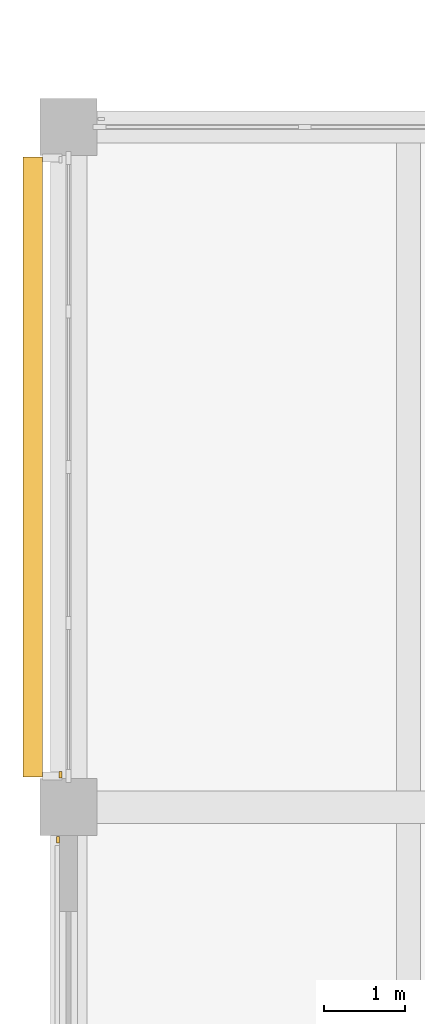
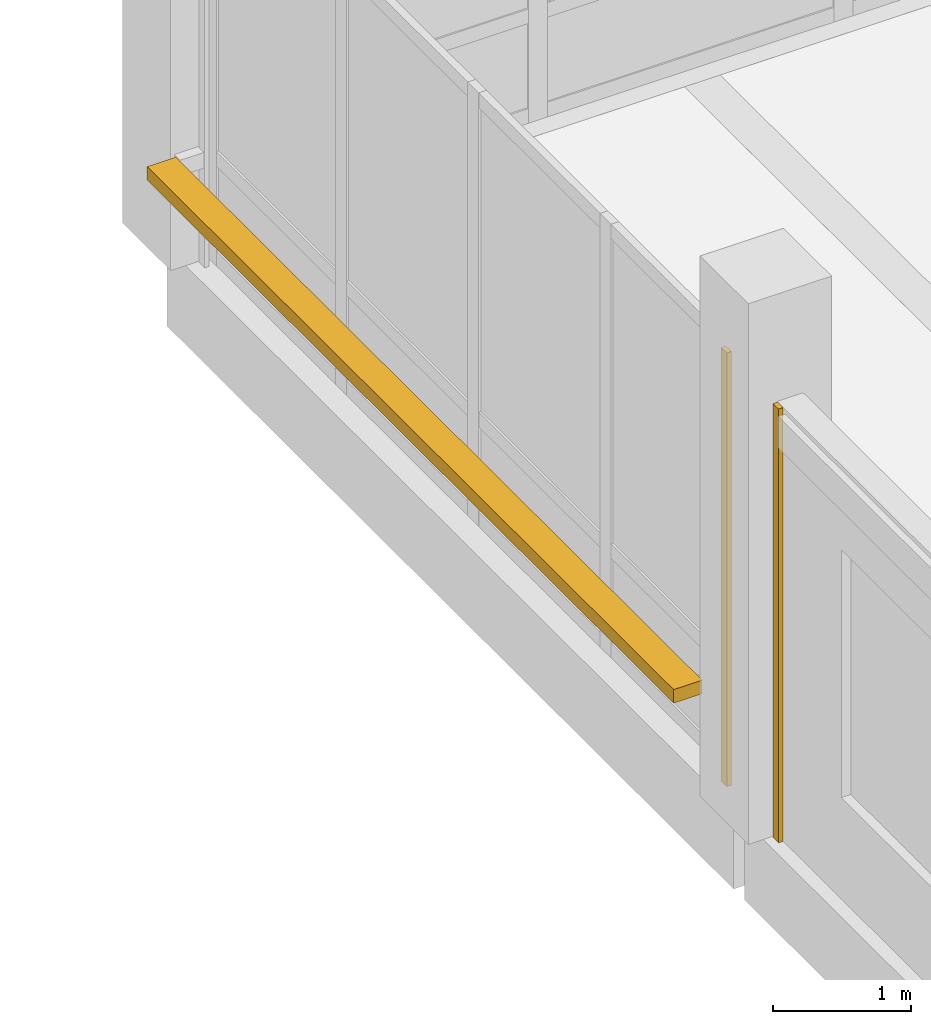
# One storey, part 100 of 128: 2 coverings, 1 shading device.
"""IFC4 building model written with IfcOpenShell, lengths in metres."""

from ifc_helpers import new_model, si_unit, direction, frame, origin, origin_2d, place, context, subcontext, project, spatial, rectangle, extrude, material, layer, layer_set, type_object, element, save


model = new_model("IFC4")

# Units and contexts
model_context = context("Model", 3, precision=1e-05, world=origin(), true_north=direction((0.0, 1.0)))
body_context = subcontext(model_context, "Body", "Model", "MODEL_VIEW")
ifc_project = project(units=[si_unit("LENGTHUNIT", "METRE"), si_unit("AREAUNIT", "SQUARE_METRE"), si_unit("VOLUMEUNIT", "CUBIC_METRE"), si_unit("PLANEANGLEUNIT", "RADIAN"), si_unit("MASSUNIT", "GRAM", prefix="KILO")], contexts=[model_context])

# Site, building, storey
site_placement = place(None, origin())
site = spatial("IfcSite", under=ifc_project, at=site_placement, CompositionType="ELEMENT")
building_placement = place(site_placement, origin())
building = spatial("IfcBuilding", under=site, at=building_placement, Name="Telukmera Botanical Conservatory", CompositionType="ELEMENT")
storey_placement = place(building_placement, frame((0.0, 0.0, 5.39990234375)))
storey = spatial("IfcBuildingStorey", under=building, at=storey_placement, Name="L01", CompositionType="ELEMENT", Elevation=5.39990234375)

# Coverings
ifc_material_1 = material(Name="Granite-faced precast concrete C40/50", Category="masonry")
ifc_layer_1 = layer(ifc_material_1, 0.0400390625)
ifc_layer_set_1 = layer_set([ifc_layer_1], Name="Granite-faced precast concrete C40/50")
covering_type = type_object("IfcCoveringType", Name="Granite Precast Column Pier Reveal Casing", PredefinedType="CLADDING", material=ifc_layer_set_1)
for number, where, z_axis, x_axis, name in (
    (1, (8.27001953125, 65.998046875, 0.0), (0.0, 0.0, 1.0), (0.0, 1.0, 0.0), "Granite Pier Reveal V3:L01:W6B R"),
    (2, (8.300048828125, 66.802001953125, 0.0), (0.0, 0.0, 1.0), (0.0, 1.0, 0.0), "Granite Pier Reveal V3:L01:W7 L"),
):
    element("IfcCovering", number, at=place(storey_placement, frame(where, z_axis=z_axis, x_axis=x_axis)), inside=storey, type_object=covering_type, Name=name, PredefinedType="CLADDING", context=body_context, shape_type="SweptSolid", body=[
        extrude(rectangle(XDim=0.080078125, YDim=0.0400390625, at=origin_2d()), origin(), (0.0, 0.0, 1.0), 3.85009765625),
    ])

# Shading device
ifc_material_2 = material(Name="Perforated terracotta-anodised aluminium 6063-T6", Category="masonry")
ifc_layer_2 = layer(ifc_material_2, 0.044921875)
ifc_layer_set_2 = layer_set([ifc_layer_2], Name="Perforated terracotta-anodised aluminium 6063-T6")
shading_device_type = type_object("IfcShadingDeviceType", Name="Perforated Terracotta Aluminium Monsoon Brise Soleil", PredefinedType="JALOUSIE", material=ifc_layer_set_2)
shading_device_placement = place(storey_placement, frame((7.9599609375, 70.60009765625, 0.89013671875), z_axis=(0.0, 0.0, 1.0), x_axis=(0.0, 1.0, 0.0)))
element("IfcShadingDevice", 3, at=shading_device_placement, inside=storey, type_object=shading_device_type, Name="Monsoon Shading BS01 V3:L01:W7", PredefinedType="JALOUSIE", context=body_context, shape_type="SweptSolid", body=[
    extrude(rectangle(XDim=7.656005859375, YDim=0.239990234375, at=origin_2d()), origin(), (0.0, 0.0, 1.0), 0.1201171875),
])

save(model, "model.ifc")
